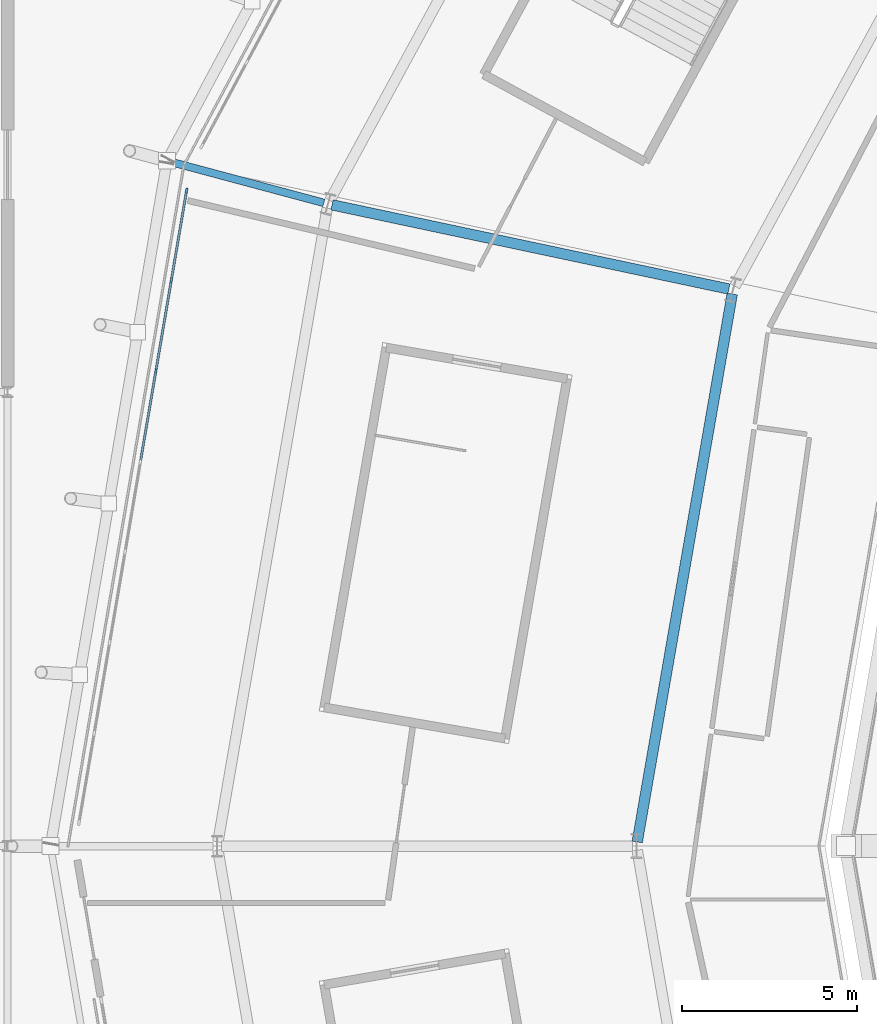
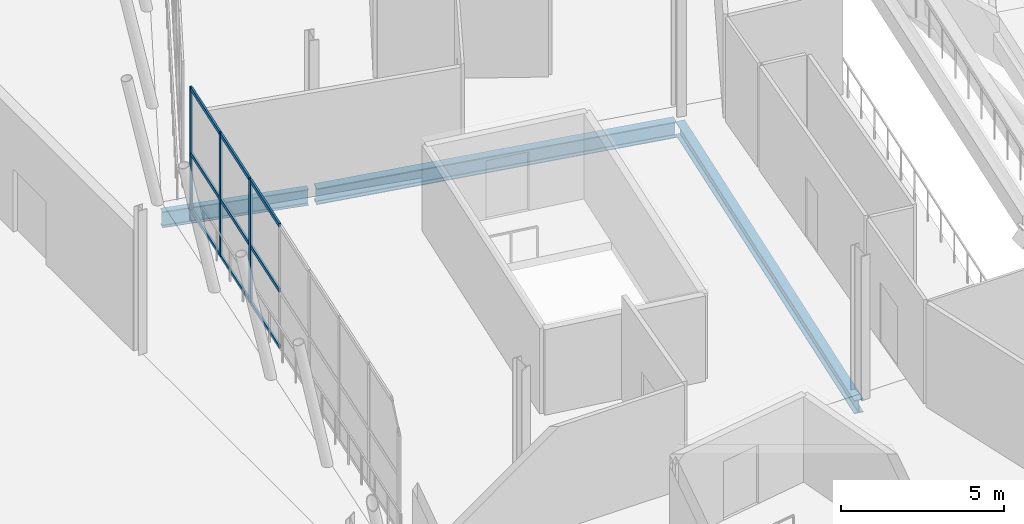
# One storey, part 28 of 126: 12 members, 3 beams, 1 element without a shape of its own.
"""IFC4 building model written with IfcOpenShell, lengths in metres."""

from ifc_helpers import new_model, si_unit, direction, frame, origin, origin_2d, place, context, subcontext, project, spatial, rectangle, i_section, extrude, material, material_profile, profile_set, type_object, element, aggregate, save


model = new_model("IFC4")

# Units and contexts
model_context = context("Model", 3, precision=1e-05, world=origin(), true_north=direction((0.0, 1.0)))
body_context = subcontext(model_context, "Body", "Model", "MODEL_VIEW")
ifc_project = project(units=[si_unit("LENGTHUNIT", "METRE"), si_unit("AREAUNIT", "SQUARE_METRE"), si_unit("VOLUMEUNIT", "CUBIC_METRE"), si_unit("PLANEANGLEUNIT", "RADIAN"), si_unit("MASSUNIT", "GRAM", prefix="KILO")], contexts=[model_context])

# Site, building, storey
site_placement = place(None, origin())
site = spatial("IfcSite", under=ifc_project, at=site_placement, CompositionType="ELEMENT")
building_placement = place(site_placement, origin())
building = spatial("IfcBuilding", under=site, at=building_placement, Name="Zlatoyarsky Gate Stadium", CompositionType="ELEMENT")
storey_placement = place(building_placement, frame((0.0, 0.0, 20.800048828125)))
storey = spatial("IfcBuildingStorey", under=building, at=storey_placement, Name="L04", CompositionType="ELEMENT", Elevation=20.800048828125)

# Curtain wall, members
ifc_material_1 = material(Name="Thermally broken anodised aluminium curtain wall", Category="aluminium")
curtain_wall_type = type_object("IfcCurtainWallType", Name="UNITISED MEDIA RING GLAZING L04", PredefinedType="USERDEFINED", material=ifc_material_1)
curtain_wall_placement = place(storey_placement, origin())
curtain_wall = element("IfcCurtainWall", 1, at=curtain_wall_placement, inside=storey, type_object=curtain_wall_type, Name="Curtain wall CW-L04-11", ObjectType="UNITISED GLAZING", PredefinedType="USERDEFINED")
ifc_material_2 = material(Name="Anodised aluminium 6063-T6", Category="aluminium")
ifc_material_profile_1 = material_profile(ifc_material_2, rectangle(XDim=0.06494140625, YDim=0.159912109375, at=origin_2d()), Name="ALU 65X160")
ifc_profile_set_1 = profile_set([ifc_material_profile_1], Name="Anodised aluminium 6063-T6")
member_type_1 = type_object("IfcMemberType", Name="ALUMINIUM MULLION 65X160", PredefinedType="MULLION", material=ifc_profile_set_1)
member_1_placement = place(storey_placement, frame((17.12353515625, 98.756591796875, 0.0), z_axis=(0.0, 0.0, 1.0), x_axis=(0.985817460475, -0.167821138782, 0.0)))
member_1 = element("IfcMember", 2, at=member_1_placement, type_object=member_type_1, Name="CW-UG4 mullion 1", PredefinedType="MULLION", context=body_context, shape_type="SweptSolid", body=[
    extrude(rectangle(XDim=0.06494140625, YDim=0.159912109375, at=origin_2d()), origin(), (0.0, 0.0, 1.0), 4.619873046875),
])
member_2_placement = place(storey_placement, frame((16.6875, 96.196044921875, 0.0), z_axis=(0.0, 0.0, 1.0), x_axis=(0.985817460475, -0.167821138782, 0.0)))
member_2 = element("IfcMember", 3, at=member_2_placement, type_object=member_type_1, Name="CW-UG4 mullion 2", PredefinedType="MULLION", context=body_context, shape_type="SweptSolid", body=[
    extrude(rectangle(XDim=0.06494140625, YDim=0.159912109375, at=origin_2d()), origin(), (0.0, 0.0, 1.0), 4.619873046875),
])
member_3_placement = place(storey_placement, frame((16.24609375, 93.603515625, 0.0), z_axis=(0.0, 0.0, 1.0), x_axis=(0.985817460475, -0.167821138782, 0.0)))
member_3 = element("IfcMember", 4, at=member_3_placement, type_object=member_type_1, Name="CW-UG4 mullion 3", PredefinedType="MULLION", context=body_context, shape_type="SweptSolid", body=[
    extrude(rectangle(XDim=0.06494140625, YDim=0.159912109375, at=origin_2d()), origin(), (0.0, 0.0, 1.0), 4.619873046875),
])
ifc_material_profile_2 = material_profile(ifc_material_2, rectangle(XDim=0.06494140625, YDim=0.139892578125, at=origin_2d()), Name="ALU 65X140")
ifc_profile_set_2 = profile_set([ifc_material_profile_2], Name="Anodised aluminium 6063-T6")
member_type_2 = type_object("IfcMemberType", Name="ALUMINIUM TRANSOM 65X140", PredefinedType="USERDEFINED", material=ifc_profile_set_2)
member_4_placement = place(storey_placement, frame((17.117919921875, 98.724609375, 0.032470703125), z_axis=(-0.167743532515, -0.985830668675, 0.0), x_axis=(0.985830668675, -0.167743532515, 0.0)))
member_4 = element("IfcMember", 5, at=member_4_placement, type_object=member_type_2, Name="CW-UG4 transom 1.1", ObjectType="TRANSOM", PredefinedType="USERDEFINED", context=body_context, shape_type="SweptSolid", body=[
    extrude(rectangle(XDim=0.06494140625, YDim=0.139892578125, at=origin_2d()), origin(), (0.0, 0.0, 1.0), 2.532470703125),
])
member_5_placement = place(storey_placement, frame((17.117919921875, 98.724609375, 2.14990234375), z_axis=(-0.167743532515, -0.985830668675, 0.0), x_axis=(0.985830668675, -0.167743532515, 0.0)))
member_5 = element("IfcMember", 6, at=member_5_placement, type_object=member_type_2, Name="CW-UG4 transom 1.2", ObjectType="TRANSOM", PredefinedType="USERDEFINED", context=body_context, shape_type="SweptSolid", body=[
    extrude(rectangle(XDim=0.06494140625, YDim=0.139892578125, at=origin_2d()), origin(), (0.0, 0.0, 1.0), 2.532470703125),
])
member_6_placement = place(storey_placement, frame((17.117919921875, 98.724609375, 4.58740234375), z_axis=(-0.167743532515, -0.985830668675, 0.0), x_axis=(0.985830668675, -0.167743532515, 0.0)))
member_6 = element("IfcMember", 7, at=member_6_placement, type_object=member_type_2, Name="CW-UG4 transom 1.3", ObjectType="TRANSOM", PredefinedType="USERDEFINED", context=body_context, shape_type="SweptSolid", body=[
    extrude(rectangle(XDim=0.06494140625, YDim=0.139892578125, at=origin_2d()), origin(), (0.0, 0.0, 1.0), 2.532470703125),
])
member_7_placement = place(storey_placement, frame((16.68212890625, 96.1640625, 0.032470703125), z_axis=(-0.167809188873, -0.9858194947, 0.0), x_axis=(0.9858194947, -0.167809188873, 0.0)))
member_7 = element("IfcMember", 8, at=member_7_placement, type_object=member_type_2, Name="CW-UG4 transom 2.1", ObjectType="TRANSOM", PredefinedType="USERDEFINED", context=body_context, shape_type="SweptSolid", body=[
    extrude(rectangle(XDim=0.06494140625, YDim=0.139892578125, at=origin_2d()), origin(), (0.0, 0.0, 1.0), 2.56494140625),
])
member_8_placement = place(storey_placement, frame((16.68212890625, 96.1640625, 2.14990234375), z_axis=(-0.167809188873, -0.9858194947, 0.0), x_axis=(0.9858194947, -0.167809188873, 0.0)))
member_8 = element("IfcMember", 9, at=member_8_placement, type_object=member_type_2, Name="CW-UG4 transom 2.2", ObjectType="TRANSOM", PredefinedType="USERDEFINED", context=body_context, shape_type="SweptSolid", body=[
    extrude(rectangle(XDim=0.06494140625, YDim=0.139892578125, at=origin_2d()), origin(), (0.0, 0.0, 1.0), 2.56494140625),
])
member_9_placement = place(storey_placement, frame((16.68212890625, 96.1640625, 4.58740234375), z_axis=(-0.167809188873, -0.9858194947, 0.0), x_axis=(0.9858194947, -0.167809188873, 0.0)))
member_9 = element("IfcMember", 10, at=member_9_placement, type_object=member_type_2, Name="CW-UG4 transom 2.3", ObjectType="TRANSOM", PredefinedType="USERDEFINED", context=body_context, shape_type="SweptSolid", body=[
    extrude(rectangle(XDim=0.06494140625, YDim=0.139892578125, at=origin_2d()), origin(), (0.0, 0.0, 1.0), 2.56494140625),
])
member_10_placement = place(storey_placement, frame((16.24072265625, 93.571533203125, 0.032470703125), z_axis=(-0.167809188873, -0.9858194947, 0.0), x_axis=(0.9858194947, -0.167809188873, 0.0)))
member_10 = element("IfcMember", 11, at=member_10_placement, type_object=member_type_2, Name="CW-UG4 transom 3.1", ObjectType="TRANSOM", PredefinedType="USERDEFINED", context=body_context, shape_type="SweptSolid", body=[
    extrude(rectangle(XDim=0.06494140625, YDim=0.139892578125, at=origin_2d()), origin(), (0.0, 0.0, 1.0), 2.56494140625),
])
member_11_placement = place(storey_placement, frame((16.24072265625, 93.571533203125, 2.14990234375), z_axis=(-0.167809188873, -0.9858194947, 0.0), x_axis=(0.9858194947, -0.167809188873, 0.0)))
member_11 = element("IfcMember", 12, at=member_11_placement, type_object=member_type_2, Name="CW-UG4 transom 3.2", ObjectType="TRANSOM", PredefinedType="USERDEFINED", context=body_context, shape_type="SweptSolid", body=[
    extrude(rectangle(XDim=0.06494140625, YDim=0.139892578125, at=origin_2d()), origin(), (0.0, 0.0, 1.0), 2.56494140625),
])
member_12_placement = place(storey_placement, frame((16.24072265625, 93.571533203125, 4.58740234375), z_axis=(-0.167809188873, -0.9858194947, 0.0), x_axis=(0.9858194947, -0.167809188873, 0.0)))
member_12 = element("IfcMember", 13, at=member_12_placement, type_object=member_type_2, Name="CW-UG4 transom 3.3", ObjectType="TRANSOM", PredefinedType="USERDEFINED", context=body_context, shape_type="SweptSolid", body=[
    extrude(rectangle(XDim=0.06494140625, YDim=0.139892578125, at=origin_2d()), origin(), (0.0, 0.0, 1.0), 2.56494140625),
])
aggregate(curtain_wall, [member_1, member_2, member_3, member_4, member_5, member_6, member_7, member_8, member_9, member_10, member_11, member_12])

# Beams
ifc_material_3 = material(Name="Steel S355", Category="steel")
ifc_material_profile_3 = material_profile(ifc_material_3, i_section(OverallWidth=0.219970703125, OverallDepth=0.60009765625, WebThickness=0.011962890625, FlangeThickness=0.01904296875, FilletRadius=0.02392578125, at=origin_2d()), Name="IPE 600")
ifc_profile_set_3 = profile_set([ifc_material_profile_3], Name="Steel S355")
beam_type_1 = type_object("IfcBeamType", Name="STEEL CANTILEVER FLOOR BEAM IPE 600", PredefinedType="BEAM", material=ifc_profile_set_3)
beam_1_placement = place(storey_placement, frame((21.052978515625, 98.4072265625, -0.60009765625), z_axis=(-0.965928364246, 0.258809573134, 0.0), x_axis=(-0.258809573134, -0.965928364246, 0.0)))
element("IfcBeam", 14, at=beam_1_placement, inside=storey, type_object=beam_type_1, Name="Beam B-IPE600 BM-L04-OUT-11", PredefinedType="BEAM", context=body_context, shape_type="SweptSolid", body=[
    extrude(i_section(OverallWidth=0.219970703125, OverallDepth=0.60009765625, WebThickness=0.011962890625, FlangeThickness=0.01904296875, FilletRadius=0.02392578125, at=origin_2d()), origin(), (0.0, 0.0, 1.0), 4.649658203125),
])
ifc_material_profile_4 = material_profile(ifc_material_3, i_section(OverallWidth=0.300048828125, OverallDepth=0.5, WebThickness=0.014404296875, FlangeThickness=0.028076171875, FilletRadius=0.027099609375, at=origin_2d()), Name="HEB 500")
ifc_profile_set_4 = profile_set([ifc_material_profile_4], Name="Steel S355")
beam_type_2 = type_object("IfcBeamType", Name="STEEL PRIMARY GIRDER HEB 500", PredefinedType="BEAM", material=ifc_profile_set_4)
beam_2_placement = place(storey_placement, frame((32.739501953125, 95.79931640625, -0.550048828125), z_axis=(-0.170843315562, -0.985298209441, 0.0), x_axis=(0.985298209441, -0.170843315562, 0.0)))
element("IfcBeam", 15, at=beam_2_placement, inside=storey, type_object=beam_type_2, Name="Beam G-HEB500 BM-L04-CRB-11", PredefinedType="BEAM", context=body_context, shape_type="SweptSolid", body=[
    extrude(i_section(OverallWidth=0.300048828125, OverallDepth=0.5, WebThickness=0.014404296875, FlangeThickness=0.028076171875, FilletRadius=0.027099609375, at=origin_2d()), origin(), (0.0, 0.0, 1.0), 15.9150390625),
])
ifc_material_profile_5 = material_profile(ifc_material_3, i_section(OverallWidth=0.300048828125, OverallDepth=0.60009765625, WebThickness=0.015380859375, FlangeThickness=0.030029296875, FilletRadius=0.027099609375, at=origin_2d()), Name="HEB 600")
ifc_profile_set_5 = profile_set([ifc_material_profile_5], Name="Steel S355")
beam_type_3 = type_object("IfcBeamType", Name="STEEL PRIMARY GIRDER HEB 600", PredefinedType="BEAM", material=ifc_profile_set_5)
beam_3_placement = place(storey_placement, frame((32.642578125, 95.9423828125, -0.60009765625), z_axis=(-0.978233348926, 0.207507867438, 0.0), x_axis=(-0.207507867438, -0.978233348926, 0.0)))
element("IfcBeam", 16, at=beam_3_placement, inside=storey, type_object=beam_type_3, Name="Beam G-HEB600 BM-L04-RBC-11", PredefinedType="BEAM", context=body_context, shape_type="SweptSolid", body=[
    extrude(i_section(OverallWidth=0.300048828125, OverallDepth=0.60009765625, WebThickness=0.015380859375, FlangeThickness=0.030029296875, FilletRadius=0.027099609375, at=origin_2d()), origin(), (0.0, 0.0, 1.0), 11.60888671875),
])

save(model, "model.ifc")
